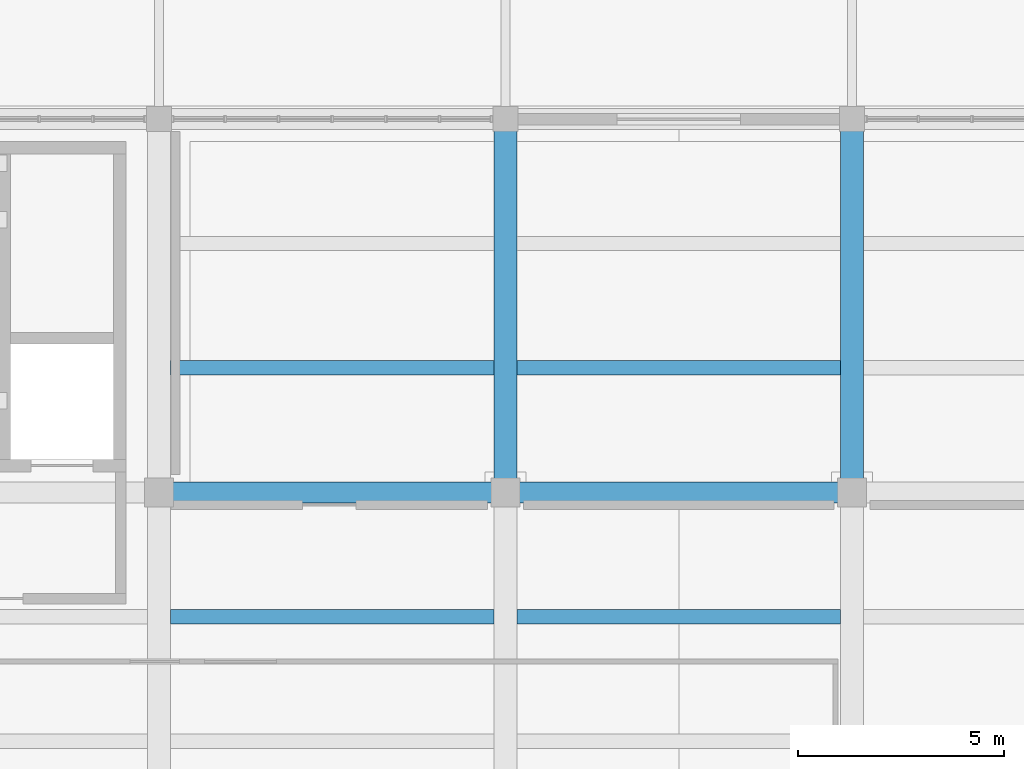
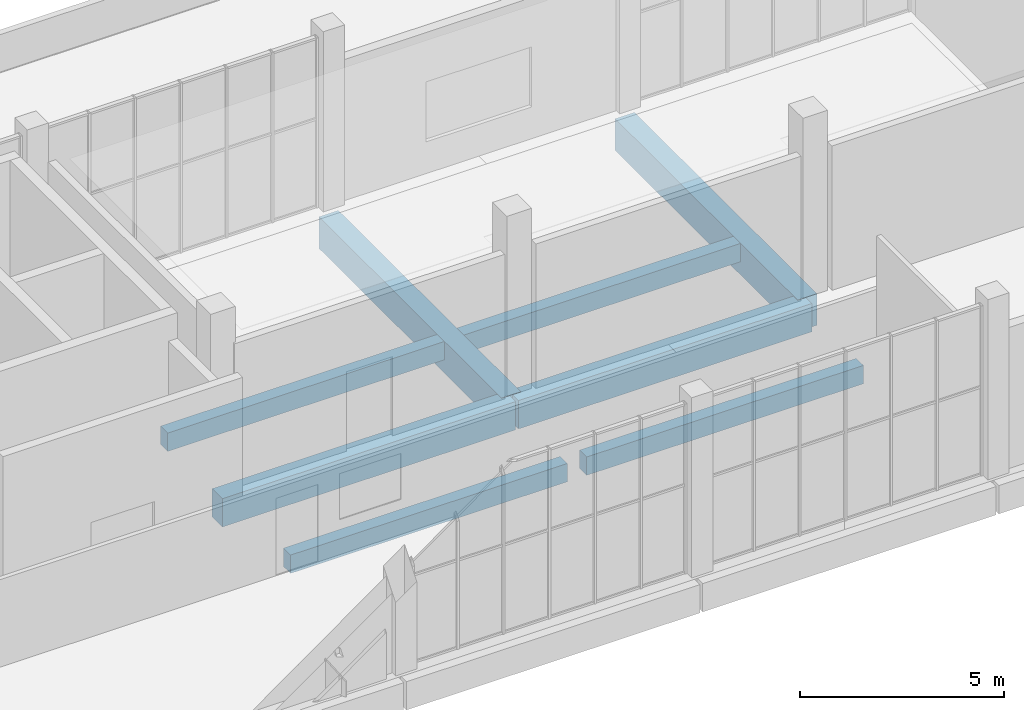
# One storey, part 74 of 132: 8 beams.
"""IFC4 building model written with IfcOpenShell, lengths in metres."""

from ifc_helpers import new_model, si_unit, direction, frame, origin, origin_2d, place, context, subcontext, project, spatial, rectangle, extrude, material, material_profile, profile_set, type_object, element, save


model = new_model("IFC4")

# Units and contexts
model_context = context("Model", 3, precision=1e-05, world=origin(), true_north=direction((0.0, 1.0)))
body_context = subcontext(model_context, "Body", "Model", "MODEL_VIEW")
ifc_project = project(units=[si_unit("LENGTHUNIT", "METRE"), si_unit("AREAUNIT", "SQUARE_METRE"), si_unit("VOLUMEUNIT", "CUBIC_METRE"), si_unit("PLANEANGLEUNIT", "RADIAN"), si_unit("MASSUNIT", "GRAM", prefix="KILO")], contexts=[model_context])

# Site, building, storey
site_placement = place(None, origin())
site = spatial("IfcSite", under=ifc_project, at=site_placement, CompositionType="ELEMENT")
building_placement = place(site_placement, origin())
building = spatial("IfcBuilding", under=site, at=building_placement, Name="Khurvash Pelagic Aquarium", CompositionType="ELEMENT")
storey_placement = place(building_placement, frame((0.0, 0.0, 5.39990234375)))
storey = spatial("IfcBuildingStorey", under=building, at=storey_placement, Name="L01", CompositionType="ELEMENT", Elevation=5.39990234375)

# Beams
ifc_material_1 = material(Name="Concrete C40/50", Category="concrete")
ifc_material_profile_1 = material_profile(ifc_material_1, rectangle(XDim=0.550048828125, YDim=0.949951171875, at=origin_2d()), Name="RC550X950")
ifc_profile_set_1 = profile_set([ifc_material_profile_1], Name="Concrete C40/50")
beam_type_1 = type_object("IfcBeamType", Name="BM-02", PredefinedType="BEAM", material=ifc_profile_set_1)
for number, where, z_axis, x_axis, name in (
    (1, (84.0, 93.139892578125, -0.784912109375), (0.0, 1.0, 0.0), (-1.0, 0.0, 0.0), "L01 Primary Girder BM-02 00406"),
    (2, (92.39990234375, 93.139892578125, -0.784912109375), (0.0, 1.0, 0.0), (-1.0, 0.0, 0.0), "L01 Primary Girder BM-02 00411"),
):
    element("IfcBeam", number, at=place(storey_placement, frame(where, z_axis=z_axis, x_axis=x_axis)), inside=storey, type_object=beam_type_1, Name=name, PredefinedType="BEAM", context=body_context, shape_type="SweptSolid", body=[
        extrude(rectangle(XDim=0.550048828125, YDim=0.949951171875, at=origin_2d()), origin(), (0.0, 0.0, 1.0), 8.97021484375),
    ])
ifc_material_profile_2 = material_profile(ifc_material_1, rectangle(XDim=0.5, YDim=0.85009765625, at=origin_2d()), Name="RC500X850")
ifc_profile_set_2 = profile_set([ifc_material_profile_2], Name="Concrete C40/50")
beam_type_2 = type_object("IfcBeamType", Name="BM-03", PredefinedType="BEAM", material=ifc_profile_set_2)
for number, where, z_axis, x_axis, name in (
    (3, (75.639892578125, 93.10009765625, -0.744873046875), (1.0, 0.0, 0.0), (0.0, 1.0, 0.0), "L01 Primary Girder BM-03 00332"),
    (4, (84.0400390625, 93.10009765625, -0.744873046875), (1.0, 0.0, 0.0), (0.0, 1.0, 0.0), "L01 Primary Girder BM-03 00333"),
):
    element("IfcBeam", number, at=place(storey_placement, frame(where, z_axis=z_axis, x_axis=x_axis)), inside=storey, type_object=beam_type_2, Name=name, PredefinedType="BEAM", context=body_context, shape_type="SweptSolid", body=[
        extrude(rectangle(XDim=0.5, YDim=0.85009765625, at=origin_2d()), origin(), (0.0, 0.0, 1.0), 8.320068359375),
    ])
ifc_material_2 = material(Name="Concrete C35/45", Category="concrete")
ifc_material_profile_3 = material_profile(ifc_material_2, rectangle(XDim=0.35009765625, YDim=0.550048828125, at=origin_2d()), Name="RC350X550")
ifc_profile_set_3 = profile_set([ifc_material_profile_3], Name="Concrete C35/45")
beam_type_3 = type_object("IfcBeamType", Name="JS-01", PredefinedType="JOIST", material=ifc_profile_set_3)
for number, where, z_axis, x_axis, name in (
    (5, (75.875, 90.0830078125, -0.5849609375), (1.0, 0.0, 0.0), (0.0, 1.0, 0.0), "L01 Floor Joist JS-01 00519"),
    (6, (75.875, 96.116943359375, -0.5849609375), (1.0, 0.0, 0.0), (0.0, 1.0, 0.0), "L01 Floor Joist JS-01 00520"),
    (7, (84.27490234375, 90.0830078125, -0.5849609375), (1.0, 0.0, 0.0), (0.0, 1.0, 0.0), "L01 Floor Joist JS-01 00529"),
    (8, (84.27490234375, 96.116943359375, -0.5849609375), (1.0, 0.0, 0.0), (0.0, 1.0, 0.0), "L01 Floor Joist JS-01 00530"),
):
    element("IfcBeam", number, at=place(storey_placement, frame(where, z_axis=z_axis, x_axis=x_axis)), inside=storey, type_object=beam_type_3, Name=name, PredefinedType="JOIST", context=body_context, shape_type="SweptSolid", body=[
        extrude(rectangle(XDim=0.35009765625, YDim=0.550048828125, at=origin_2d()), origin(), (0.0, 0.0, 1.0), 7.85009765625),
    ])

save(model, "model.ifc")
